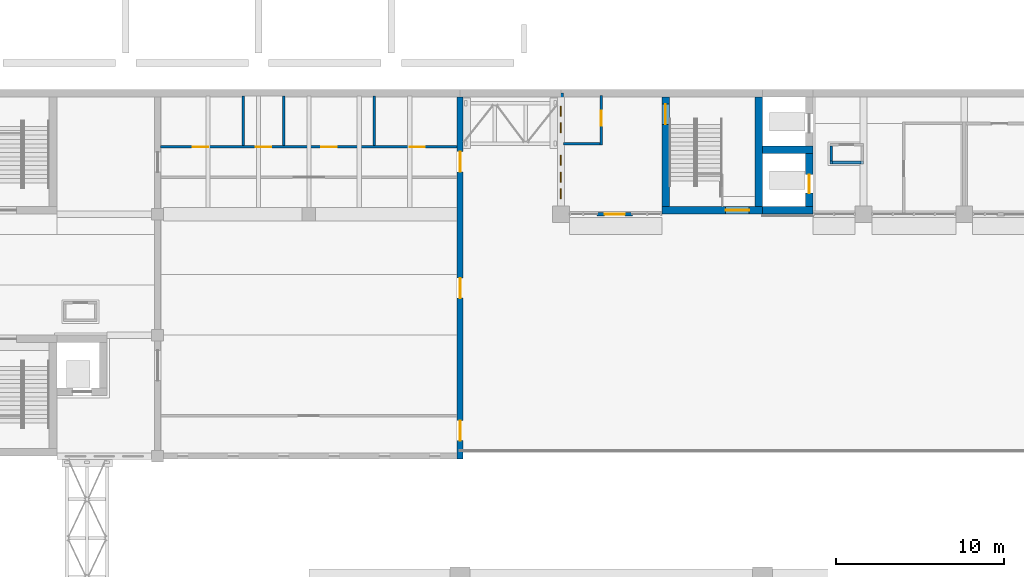
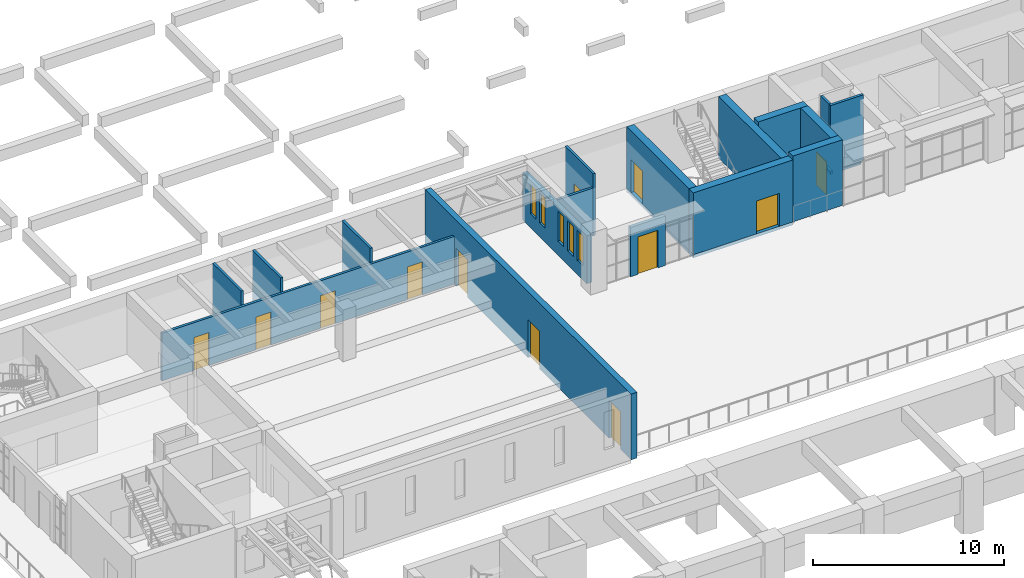
# One storey, part 66 of 103: 21 walls, 12 doors, 5 windows, 17 openings.
"""IFC4 building model written with IfcOpenShell, lengths in metres."""

import ifcopenshell
import ifcopenshell.guid

model = None  # the IFC model being written
_history = None  # IfcOwnerHistory: only IFC2X3 demands one
_inside = {}  # id of a spatial element -> (the spatial element, [elements in it])
_under = {}  # id of a project, library or spatial element -> (it, [spatial elements below it])
_declared = {}  # id of a project -> (the project, [libraries it declares])
_typed = {}  # id of a type object -> (the type object, [elements of that type])
_made_of = {}  # id of a material, layer set ... -> (it, [elements and type objects made of it])


def new_model(schema):
    """Start an empty IFC model of exactly this schema.

    Asked for "IFC4X3", IfcOpenShell would pick the latest addendum, in which some entities
    have other attributes; the version numbers below select the first issue.
    IFC2X3 requires an IfcOwnerHistory on every rooted entity: one is made here for all.
    """
    global model, _history
    if schema == "IFC4X3":
        model = ifcopenshell.file(schema_version=(4, 3, 0, 0))
    else:
        model = ifcopenshell.file(schema=schema)
    _inside.clear()
    _under.clear()
    _declared.clear()
    _typed.clear()
    _made_of.clear()
    _history = None
    if model.schema == "IFC2X3":
        org = make("IfcOrganization", Name="unknown")
        user = make(
            "IfcPersonAndOrganization",
            ThePerson=make("IfcPerson", FamilyName="unknown"),
            TheOrganization=org,
        )
        app = make(
            "IfcApplication",
            ApplicationDeveloper=org,
            Version="unknown",
            ApplicationFullName="unknown",
            ApplicationIdentifier="unknown",
        )
        _history = make(
            "IfcOwnerHistory",
            OwningUser=user,
            OwningApplication=app,
            ChangeAction="ADDED",
            CreationDate=0,
        )
    return model


def make(cls, **values):
    """One entity of the class cls with the attributes given. An attribute that is None is left unset."""
    return model.create_entity(
        cls, **{name: value for name, value in values.items() if value is not None}
    )


def rooted(cls, **values):
    """An entity with a GlobalId (a new one), such as an element, a storey or a relation."""
    return make(cls, GlobalId=ifcopenshell.guid.new(), OwnerHistory=_history, **values)


def si_unit(unit_type, name, prefix=None):
    """IfcSIUnit, for example si_unit("LENGTHUNIT", "METRE", prefix="MILLI")."""
    return make("IfcSIUnit", UnitType=unit_type, Prefix=prefix, Name=name)


def assignment(units):
    """IfcUnitAssignment: the units of a project."""
    return None if units is None else make("IfcUnitAssignment", Units=units)


def point(xyz):
    """IfcCartesianPoint."""
    return None if xyz is None else make("IfcCartesianPoint", Coordinates=xyz)


def direction(xyz):
    """IfcDirection."""
    return None if xyz is None else make("IfcDirection", DirectionRatios=xyz)


def frame(location, z_axis=None, x_axis=None):
    """IfcAxis2Placement3D, a coordinate frame: its origin and axes. An axis left out is left unset."""
    return make(
        "IfcAxis2Placement3D",
        Location=point(location),
        Axis=direction(z_axis),
        RefDirection=direction(x_axis),
    )


def frame_2d(location, x_axis=None):
    """IfcAxis2Placement2D, a coordinate frame in the plane: its origin and x axis."""
    return make(
        "IfcAxis2Placement2D", Location=point(location), RefDirection=direction(x_axis)
    )


def origin():
    """The frame at (0, 0, 0) with its axes left unset."""
    return frame((0.0, 0.0, 0.0))


def place(relative_to, where):
    """IfcLocalPlacement: puts the frame where relative to a parent placement (None: the world)."""
    return make(
        "IfcLocalPlacement", PlacementRelTo=relative_to, RelativePlacement=where
    )


def context(
    kind, dimensions, precision=None, world=None, true_north=None, identifier=None
):
    """IfcGeometricRepresentationContext, for example the 3D "Model" context."""
    return make(
        "IfcGeometricRepresentationContext",
        ContextIdentifier=identifier,
        ContextType=kind,
        CoordinateSpaceDimension=dimensions,
        Precision=precision,
        WorldCoordinateSystem=world,
        TrueNorth=true_north,
    )


def subcontext(parent, identifier, kind, view, scale=None):
    """IfcGeometricRepresentationSubContext, for example "Body" below "Model"."""
    return make(
        "IfcGeometricRepresentationSubContext",
        ContextIdentifier=identifier,
        ContextType=kind,
        ParentContext=parent,
        TargetScale=scale,
        TargetView=view,
    )


def project(units=None, contexts=None):
    """IfcProject with its units and contexts."""
    return rooted(
        "IfcProject",
        Name="project",
        RepresentationContexts=contexts,
        UnitsInContext=assignment(units),
    )


def spatial(cls, under=None, at=None, **own):
    """A site, building, storey or space (cls), placed at a placement, below another one or the project."""
    s = rooted(cls, ObjectPlacement=at, **own)
    if under is not None:
        _under.setdefault(under.id(), (under, []))[1].append(s)
    return s


def profile(cls, at=None, kind="AREA", **sizes):
    """A parametric profile (cls). Its sizes go by their IFC names, for example OverallWidth=200.0."""
    return make(cls, ProfileType=kind, Position=at, **sizes)


def rectangle(**sizes):
    """IfcRectangleProfileDef."""
    return profile("IfcRectangleProfileDef", **sizes)


def extrude(swept, where, along, depth):
    """IfcExtrudedAreaSolid: the profile swept, set in the frame where, extruded along a direction by depth."""
    return make(
        "IfcExtrudedAreaSolid",
        SweptArea=swept,
        Position=where,
        ExtrudedDirection=direction(along),
        Depth=depth,
    )


def shape(context_of_items, identifier, shape_type, items):
    """IfcShapeRepresentation: the items that make up one representation, for example the "Body"."""
    return make(
        "IfcShapeRepresentation",
        ContextOfItems=context_of_items,
        RepresentationIdentifier=identifier,
        RepresentationType=shape_type,
        Items=items,
    )


def material(Name=None, Category=None):
    """IfcMaterial."""
    return make("IfcMaterial", Name=Name, Category=Category)


def layer(
    of_material, thickness, ventilated=None, Name=None, Category=None, Priority=None
):
    """IfcMaterialLayer: one layer of a wall or slab, of a material (None: an air gap)."""
    return make(
        "IfcMaterialLayer",
        Material=of_material,
        LayerThickness=thickness,
        IsVentilated=ventilated,
        Name=Name,
        Category=Category,
        Priority=Priority,
    )


def layer_set(layers, Name=None):
    """IfcMaterialLayerSet."""
    return make("IfcMaterialLayerSet", MaterialLayers=layers, LayerSetName=Name)


def made_of(thing, what):
    """Note that an element or type object is made of a material, layer set ...; save() writes the relation."""
    if what is not None:
        _made_of.setdefault(what.id(), (what, []))[1].append(thing)
    return thing


def type_object(cls, material=None, **own):
    """A type object (cls), such as IfcWallType, which elements share."""
    return made_of(rooted(cls, **own), material)


def element(
    cls,
    number,
    at=None,
    inside=None,
    cuts=None,
    type_object=None,
    material=None,
    context=None,
    identifier="Body",
    shape_type=None,
    held_by="IfcProductDefinitionShape",
    body=None,
    shapes=None,
    **own,
):
    """One element of the class cls, such as IfcWall. Its Tag is "e" and its number.

    at: its placement. inside: the storey or other place that contains it. cuts: it is an
    opening in that element (IfcRelVoidsElement). A single representation is given by context,
    identifier, shape_type and body (its items); several are given by shapes. held_by: the class
    of the entity that holds the representations. save() writes the other relations.
    """
    e = rooted(cls, Tag="e%d" % number, ObjectPlacement=at, **own)
    if body is not None:
        shapes = [shape(context, identifier, shape_type, body)]
    if shapes is not None:
        e.Representation = make(held_by, Representations=shapes)
    if inside is not None:
        _inside.setdefault(inside.id(), (inside, []))[1].append(e)
    if cuts is not None:
        rooted(
            "IfcRelVoidsElement", RelatingBuildingElement=cuts, RelatedOpeningElement=e
        )
    if type_object is not None:
        _typed.setdefault(type_object.id(), (type_object, []))[1].append(e)
    return made_of(e, material)


def fill(opening, filler):
    """IfcRelFillsElement: the door or window that sits in an opening."""
    return rooted(
        "IfcRelFillsElement",
        RelatingOpeningElement=opening,
        RelatedBuildingElement=filler,
    )


def aggregate(whole, parts):
    """IfcRelAggregates: a whole, such as a stair, and the parts it consists of."""
    return rooted("IfcRelAggregates", RelatingObject=whole, RelatedObjects=parts)


def save(model, path):
    """Write the relations noted so far, then the file.

    IfcRelAggregates (storeys below a building ...), IfcRelContainedInSpatialStructure (elements
    in a storey), IfcRelDefinesByType, IfcRelAssociatesMaterial and IfcRelDeclares: one each for
    every whole, place, type object, material and project.
    """
    for whole, parts in _under.values():
        aggregate(whole, parts)
    for where, things in _inside.values():
        rooted(
            "IfcRelContainedInSpatialStructure",
            RelatedElements=things,
            RelatingStructure=where,
        )
    for kind, things in _typed.values():
        rooted("IfcRelDefinesByType", RelatedObjects=things, RelatingType=kind)
    for what, things in _made_of.values():
        rooted("IfcRelAssociatesMaterial", RelatedObjects=things, RelatingMaterial=what)
    for by, libraries in _declared.values():
        rooted("IfcRelDeclares", RelatingContext=by, RelatedDefinitions=libraries)
    model.write(path)


model = new_model("IFC4")

# Units and contexts
model_context = context("Model", 3, precision=1e-05, world=origin(), true_north=direction((0.0, 1.0)))
body_context = subcontext(model_context, "Body", "Model", "MODEL_VIEW")
ifc_project = project(units=[si_unit("LENGTHUNIT", "METRE"), si_unit("AREAUNIT", "SQUARE_METRE"), si_unit("VOLUMEUNIT", "CUBIC_METRE"), si_unit("PLANEANGLEUNIT", "RADIAN"), si_unit("MASSUNIT", "GRAM", prefix="KILO")], contexts=[model_context])

# Site, building, storey
site_placement = place(None, origin())
site = spatial("IfcSite", under=ifc_project, at=site_placement, CompositionType="ELEMENT")
building_placement = place(site_placement, origin())
building = spatial("IfcBuilding", under=site, at=building_placement, Name="Laocheng Heights Fire and Rescue Headquarters", CompositionType="ELEMENT")
storey_placement = place(building_placement, frame((0.0, 0.0, 4.199951171875)))
storey = spatial("IfcBuildingStorey", under=building, at=storey_placement, Name="L01", CompositionType="ELEMENT", Elevation=4.199951171875)

# Wall, opening, door
ifc_material_1 = material(Name="Gypsum plaster")
ifc_layer_1 = layer(ifc_material_1, 0.010009765625, Name="PLASTER", Category="plaster")
ifc_material_2 = material(Name="Concrete blockwork MU10", Category="masonry")
ifc_layer_2 = layer(ifc_material_2, 0.1298828125, Name="BLOCKWORK", Category="masonry")
ifc_layer_3 = layer(ifc_material_1, 0.010009765625, Name="PLASTER", Category="plaster")
ifc_layer_set_1 = layer_set([ifc_layer_1, ifc_layer_2, ifc_layer_3], Name="Concrete blockwork MU10")
wall_type_1 = type_object("IfcWallType", Name="BLOCKWORK CORRIDOR WALL 150 EI 60 HQ WING", PredefinedType="PARTITIONING", material=ifc_layer_set_1)
wall_1_placement = place(storey_placement, frame((38.39990234375, 54.52490234375, 0.0), z_axis=(0.0, 0.0, 1.0), x_axis=(0.0, 1.0, 0.0)))
wall_1 = element("IfcWall", 1, at=wall_1_placement, inside=storey, type_object=wall_type_1, Name="Partition L01-001", PredefinedType="PARTITIONING", context=body_context, shape_type="SweptSolid", body=[
    extrude(rectangle(XDim=2.925048828125, YDim=0.14990234375, at=frame_2d((1.46240234375, 0.0))), origin(), (0.0, 0.0, 1.0), 3.949951171875),
])
opening_1_placement = place(wall_1_placement, frame((1.125, 0.0, 0.0)))
opening_1 = element("IfcOpeningElement", 2, at=opening_1_placement, cuts=wall_1, Name="Opening L01-Y01", PredefinedType="OPENING", context=body_context, shape_type="SweptSolid", body=[
    extrude(rectangle(XDim=0.89990234375, YDim=2.10009765625, at=frame_2d((0.449951171875, 1.050048828125))), frame((0.0, 0.0849609375, 0.0), z_axis=(0.0, -1.0, 0.0), x_axis=(1.0, 0.0, 0.0)), (0.0, 0.0, 1.0), 0.169921875),
])
ifc_material_3 = material(Name="Timber door leaf, veneered", Category="wood")
door_type_1 = type_object("IfcDoorType", Name="TIMBER DOOR 900x2100 EI 30 HQ WING", OperationType="SINGLE_SWING_LEFT", PredefinedType="DOOR", material=ifc_material_3)
door_1_placement = place(opening_1_placement, origin())
door_1 = element("IfcDoor", 3, at=door_1_placement, inside=storey, type_object=door_type_1, Name="Door L01-Y01", OperationType="SINGLE_SWING_RIGHT", OverallHeight=2.10009765625, OverallWidth=0.89990234375, PredefinedType="DOOR", context=body_context, shape_type="SweptSolid", body=[
    extrude(rectangle(XDim=0.89990234375, YDim=2.10009765625, at=frame_2d((0.449951171875, 1.050048828125))), frame((0.0, 0.02490234375, 0.0), z_axis=(0.0, -1.0, 0.0), x_axis=(1.0, 0.0, 0.0)), (0.0, 0.0, 1.0), 0.050048828125),
])
fill(opening_1, door_1)

# Walls
wall_2_placement = place(storey_placement, frame((36.14990234375, 54.60009765625, 0.0), z_axis=(0.0, 0.0, 1.0), x_axis=(1.0, 0.0, 0.0)))
element("IfcWall", 4, at=wall_2_placement, inside=storey, type_object=wall_type_1, Name="Partition L01-007", PredefinedType="PARTITIONING", context=body_context, shape_type="SweptSolid", body=[
    extrude(rectangle(XDim=2.175048828125, YDim=0.14990234375, at=frame_2d((1.08740234375, 0.0))), origin(), (0.0, 0.0, 1.0), 3.050048828125),
])
ifc_material_4 = material(Name="Gypsum plaster")
ifc_layer_4 = layer(ifc_material_4, 0.010009765625, Name="PLASTER", Category="plaster")
ifc_material_5 = material(Name="Concrete blockwork MU10", Category="masonry")
ifc_layer_5 = layer(ifc_material_5, 0.1298828125, Name="BLOCKWORK", Category="masonry")
ifc_layer_6 = layer(ifc_material_4, 0.010009765625, Name="PLASTER", Category="plaster")
ifc_layer_set_2 = layer_set([ifc_layer_4, ifc_layer_5, ifc_layer_6], Name="Concrete blockwork MU10")
wall_type_2 = type_object("IfcWallType", Name="BLOCKWORK CORRIDOR WALL 150 EI 60 PAVILION", PredefinedType="PARTITIONING", material=ifc_layer_set_2)
for number, where, z_axis, x_axis, name in (
    (5, (17.10009765625, 54.47509765625, 0.0), (0.0, 0.0, 1.0), (0.0, 1.0, 0.0), "Partition L01-001"),
    (6, (19.5, 54.47509765625, 0.0), (0.0, 0.0, 1.0), (0.0, 1.0, 0.0), "Partition L01-002"),
    (7, (24.89990234375, 54.47509765625, 0.0), (0.0, 0.0, 1.0), (0.0, 1.0, 0.0), "Partition L01-003"),
):
    element("IfcWall", number, at=place(storey_placement, frame(where, z_axis=z_axis, x_axis=x_axis)), inside=storey, type_object=wall_type_2, Name=name, PredefinedType="PARTITIONING", context=body_context, shape_type="SweptSolid", body=[
        extrude(rectangle(XDim=2.949951171875, YDim=0.14990234375, at=frame_2d((1.47509765625, 0.0))), origin(), (0.0, 0.0, 1.0), 3.949951171875),
    ])

# Wall, openings, doors
wall_3_placement = place(storey_placement, frame((12.175048828125, 54.39990234375, 0.0), z_axis=(0.0, 0.0, 1.0), x_axis=(1.0, 0.0, 0.0)))
wall_3 = element("IfcWall", 8, at=wall_3_placement, inside=storey, type_object=wall_type_2, Name="Partition L01-006", PredefinedType="PARTITIONING", context=body_context, shape_type="SweptSolid", body=[
    extrude(rectangle(XDim=17.64990234375, YDim=0.14990234375, at=frame_2d((8.824951171875, 0.0))), origin(), (0.0, 0.0, 1.0), 3.050048828125),
])
opening_2_placement = place(wall_3_placement, frame((1.925048828125, 0.0, 0.0)))
opening_2 = element("IfcOpeningElement", 9, at=opening_2_placement, cuts=wall_3, Name="Opening L01-P05", PredefinedType="OPENING", context=body_context, shape_type="SweptSolid", body=[
    extrude(rectangle(XDim=0.89990234375, YDim=2.10009765625, at=frame_2d((0.449951171875, 1.050048828125))), frame((0.0, 0.0849609375, 0.0), z_axis=(0.0, -1.0, 0.0), x_axis=(1.0, 0.0, 0.0)), (0.0, 0.0, 1.0), 0.169921875),
])
opening_3_placement = place(wall_3_placement, frame((5.675048828125, 0.0, 0.0)))
opening_3 = element("IfcOpeningElement", 10, at=opening_3_placement, cuts=wall_3, Name="Opening L01-P06", PredefinedType="OPENING", context=body_context, shape_type="SweptSolid", body=[
    extrude(rectangle(XDim=0.89990234375, YDim=2.10009765625, at=frame_2d((0.449951171875, 1.050048828125))), frame((0.0, 0.0849609375, 0.0), z_axis=(0.0, -1.0, 0.0), x_axis=(1.0, 0.0, 0.0)), (0.0, 0.0, 1.0), 0.169921875),
])
opening_4_placement = place(wall_3_placement, frame((9.574951171875, 0.0, 0.0)))
opening_4 = element("IfcOpeningElement", 11, at=opening_4_placement, cuts=wall_3, Name="Opening L01-P07", PredefinedType="OPENING", context=body_context, shape_type="SweptSolid", body=[
    extrude(rectangle(XDim=0.89990234375, YDim=2.10009765625, at=frame_2d((0.449951171875, 1.050048828125))), frame((0.0, 0.0849609375, 0.0), z_axis=(0.0, -1.0, 0.0), x_axis=(1.0, 0.0, 0.0)), (0.0, 0.0, 1.0), 0.169921875),
])
opening_5_placement = place(wall_3_placement, frame((14.824951171875, 0.0, 0.0)))
opening_5 = element("IfcOpeningElement", 12, at=opening_5_placement, cuts=wall_3, Name="Opening L01-P08", PredefinedType="OPENING", context=body_context, shape_type="SweptSolid", body=[
    extrude(rectangle(XDim=0.89990234375, YDim=2.10009765625, at=frame_2d((0.449951171875, 1.050048828125))), frame((0.0, 0.0849609375, 0.0), z_axis=(0.0, -1.0, 0.0), x_axis=(1.0, 0.0, 0.0)), (0.0, 0.0, 1.0), 0.169921875),
])
ifc_material_6 = material(Name="Timber door leaf, veneered", Category="wood")
door_type_2 = type_object("IfcDoorType", Name="TIMBER DOOR 900x2100 EI 30 PAVILION", OperationType="SINGLE_SWING_LEFT", PredefinedType="DOOR", material=ifc_material_6)
door_2_placement = place(opening_2_placement, origin())
door_2 = element("IfcDoor", 13, at=door_2_placement, inside=storey, type_object=door_type_2, Name="Door L01-P05", OperationType="SINGLE_SWING_LEFT", OverallHeight=2.10009765625, OverallWidth=0.89990234375, PredefinedType="DOOR", context=body_context, shape_type="SweptSolid", body=[
    extrude(rectangle(XDim=0.89990234375, YDim=2.10009765625, at=frame_2d((0.449951171875, 1.050048828125))), frame((0.0, 0.02490234375, 0.0), z_axis=(0.0, -1.0, 0.0), x_axis=(1.0, 0.0, 0.0)), (0.0, 0.0, 1.0), 0.050048828125),
])
fill(opening_2, door_2)
door_3_placement = place(opening_3_placement, origin())
door_3 = element("IfcDoor", 14, at=door_3_placement, inside=storey, type_object=door_type_2, Name="Door L01-P06", OperationType="SINGLE_SWING_LEFT", OverallHeight=2.10009765625, OverallWidth=0.89990234375, PredefinedType="DOOR", context=body_context, shape_type="SweptSolid", body=[
    extrude(rectangle(XDim=0.89990234375, YDim=2.10009765625, at=frame_2d((0.449951171875, 1.050048828125))), frame((0.0, 0.02490234375, 0.0), z_axis=(0.0, -1.0, 0.0), x_axis=(1.0, 0.0, 0.0)), (0.0, 0.0, 1.0), 0.050048828125),
])
fill(opening_3, door_3)
door_4_placement = place(opening_4_placement, origin())
door_4 = element("IfcDoor", 15, at=door_4_placement, inside=storey, type_object=door_type_2, Name="Door L01-P07", OperationType="SINGLE_SWING_LEFT", OverallHeight=2.10009765625, OverallWidth=0.89990234375, PredefinedType="DOOR", context=body_context, shape_type="SweptSolid", body=[
    extrude(rectangle(XDim=0.89990234375, YDim=2.10009765625, at=frame_2d((0.449951171875, 1.050048828125))), frame((0.0, 0.02490234375, 0.0), z_axis=(0.0, -1.0, 0.0), x_axis=(1.0, 0.0, 0.0)), (0.0, 0.0, 1.0), 0.050048828125),
])
fill(opening_4, door_4)
door_5_placement = place(opening_5_placement, origin())
door_5 = element("IfcDoor", 16, at=door_5_placement, inside=storey, type_object=door_type_2, Name="Door L01-P08", OperationType="SINGLE_SWING_RIGHT", OverallHeight=2.10009765625, OverallWidth=0.89990234375, PredefinedType="DOOR", context=body_context, shape_type="SweptSolid", body=[
    extrude(rectangle(XDim=0.89990234375, YDim=2.10009765625, at=frame_2d((0.449951171875, 1.050048828125))), frame((0.0, 0.02490234375, 0.0), z_axis=(0.0, -1.0, 0.0), x_axis=(1.0, 0.0, 0.0)), (0.0, 0.0, 1.0), 0.050048828125),
])
fill(opening_5, door_5)

# Wall, opening, door
ifc_material_7 = material(Name="Precast concrete C40/50", Category="concrete")
ifc_layer_7 = layer(ifc_material_7, 0.199951171875)
ifc_layer_set_3 = layer_set([ifc_layer_7], Name="Precast concrete C40/50")
wall_type_3 = type_object("IfcWallType", Name="PRECAST ENTRANCE FRAME WALL 200", PredefinedType="SOLIDWALL", material=ifc_layer_set_3)
wall_4_placement = place(storey_placement, frame((38.14990234375, 50.39990234375, 0.0), z_axis=(0.0, 0.0, 1.0), x_axis=(1.0, 0.0, 0.0)))
wall_4 = element("IfcWall", 17, at=wall_4_placement, inside=storey, type_object=wall_type_3, Name="PRECAST ENTRANCE FRAME WALL HQ SOUTH L01", PredefinedType="SOLIDWALL", context=body_context, shape_type="SweptSolid", body=[
    extrude(rectangle(XDim=2.10009765625, YDim=0.199951171875, at=frame_2d((1.050048828125, 0.0))), origin(), (0.0, 0.0, 1.0), 3.150146484375),
])
opening_6_placement = place(wall_4_placement, frame((0.449951171875, 0.0, 0.0)))
opening_6 = element("IfcOpeningElement", 18, at=opening_6_placement, cuts=wall_4, Name="Opening L01-X01", PredefinedType="OPENING", context=body_context, shape_type="SweptSolid", body=[
    extrude(rectangle(XDim=1.199951171875, YDim=2.39990234375, at=frame_2d((0.60009765625, 1.199951171875))), frame((0.0, 0.10986328125, 0.0), z_axis=(0.0, -1.0, 0.0), x_axis=(1.0, 0.0, 0.0)), (0.0, 0.0, 1.0), 0.219970703125),
])
ifc_material_8 = material(Name="Dark anodised aluminium framed glazed door, low-e glazing", Category="aluminium")
door_type_3 = type_object("IfcDoorType", Name="WEST FOYER COURT DOOR 1200 x 2400", OperationType="SINGLE_SWING_LEFT", PredefinedType="DOOR", material=ifc_material_8)
door_6_placement = place(opening_6_placement, frame((1.199951171875, 0.0, 0.0), z_axis=(0.0, 0.0, 1.0), x_axis=(-1.0, 0.0, 0.0)))
door_6 = element("IfcDoor", 19, at=door_6_placement, inside=storey, type_object=door_type_3, Name="WEST FOYER COURT DOOR HQ SOUTH L01", OperationType="SINGLE_SWING_RIGHT", OverallHeight=2.39990234375, OverallWidth=1.199951171875, PredefinedType="DOOR", context=body_context, shape_type="SweptSolid", body=[
    extrude(rectangle(XDim=1.199951171875, YDim=2.39990234375, at=frame_2d((0.60009765625, 1.199951171875))), frame((0.0, 0.02490234375, 0.0), z_axis=(0.0, -1.0, 0.0), x_axis=(1.0, 0.0, 0.0)), (0.0, 0.0, 1.0), 0.050048828125),
])
fill(opening_6, door_6)

# Wall, openings, windows
ifc_material_9 = material(Name="Precast concrete C40/50", Category="concrete")
ifc_layer_8 = layer(ifc_material_9, 0.300048828125)
ifc_layer_set_4 = layer_set([ifc_layer_8], Name="Precast concrete C40/50")
wall_type_4 = type_object("IfcWallType", Name="PRECAST WALL PANEL 300", PredefinedType="SOLIDWALL", material=ifc_layer_set_4)
wall_5_placement = place(storey_placement, frame((36.0, 50.89990234375, 0.0), z_axis=(0.0, 0.0, 1.0), x_axis=(0.0, 1.0, 0.0)))
wall_5 = element("IfcWall", 20, at=wall_5_placement, inside=storey, type_object=wall_type_4, Name="PRECAST WALL PANEL HQ WEST STRIP L01", PredefinedType="SOLIDWALL", context=body_context, shape_type="SweptSolid", body=[
    extrude(rectangle(XDim=6.7001953125, YDim=0.300048828125, at=frame_2d((3.35009765625, 0.0))), origin(), (0.0, 0.0, 1.0), 3.050048828125),
])
opening_7_placement = place(wall_5_placement, frame((0.405029296875, 0.0, 0.89990234375)))
opening_7 = element("IfcOpeningElement", 21, at=opening_7_placement, cuts=wall_5, Name="Opening N1-X", PredefinedType="OPENING", context=body_context, shape_type="SweptSolid", body=[
    extrude(rectangle(XDim=0.60009765625, YDim=1.89990234375, at=frame_2d((0.300048828125, 0.949951171875))), frame((0.0, 0.159912109375, 0.0), z_axis=(0.0, -1.0, 0.0), x_axis=(1.0, 0.0, 0.0)), (0.0, 0.0, 1.0), 0.320068359375),
])
opening_8_placement = place(wall_5_placement, frame((1.409912109375, 0.0, 0.89990234375)))
opening_8 = element("IfcOpeningElement", 22, at=opening_8_placement, cuts=wall_5, Name="Opening N1-X", PredefinedType="OPENING", context=body_context, shape_type="SweptSolid", body=[
    extrude(rectangle(XDim=0.60009765625, YDim=1.89990234375, at=frame_2d((0.300048828125, 0.949951171875))), frame((0.0, 0.159912109375, 0.0), z_axis=(0.0, -1.0, 0.0), x_axis=(1.0, 0.0, 0.0)), (0.0, 0.0, 1.0), 0.320068359375),
])
opening_9_placement = place(wall_5_placement, frame((2.4150390625, 0.0, 0.89990234375)))
opening_9 = element("IfcOpeningElement", 23, at=opening_9_placement, cuts=wall_5, Name="Opening N1-X", PredefinedType="OPENING", context=body_context, shape_type="SweptSolid", body=[
    extrude(rectangle(XDim=0.60009765625, YDim=1.89990234375, at=frame_2d((0.300048828125, 0.949951171875))), frame((0.0, 0.159912109375, 0.0), z_axis=(0.0, -1.0, 0.0), x_axis=(1.0, 0.0, 0.0)), (0.0, 0.0, 1.0), 0.320068359375),
])
opening_10_placement = place(wall_5_placement, frame((4.3466796875, 0.0, 0.89990234375)))
opening_10 = element("IfcOpeningElement", 24, at=opening_10_placement, cuts=wall_5, Name="Opening N1-X", PredefinedType="OPENING", context=body_context, shape_type="SweptSolid", body=[
    extrude(rectangle(XDim=0.60009765625, YDim=1.89990234375, at=frame_2d((0.300048828125, 0.949951171875))), frame((0.0, 0.159912109375, 0.0), z_axis=(0.0, -1.0, 0.0), x_axis=(1.0, 0.0, 0.0)), (0.0, 0.0, 1.0), 0.320068359375),
])
opening_11_placement = place(wall_5_placement, frame((5.313232421875, 0.0, 0.89990234375)))
opening_11 = element("IfcOpeningElement", 25, at=opening_11_placement, cuts=wall_5, Name="Opening N1-X", PredefinedType="OPENING", context=body_context, shape_type="SweptSolid", body=[
    extrude(rectangle(XDim=0.60009765625, YDim=1.89990234375, at=frame_2d((0.300048828125, 0.949951171875))), frame((0.0, 0.159912109375, 0.0), z_axis=(0.0, -1.0, 0.0), x_axis=(1.0, 0.0, 0.0)), (0.0, 0.0, 1.0), 0.320068359375),
])
ifc_material_10 = material(Name="Low-e double glazing in aluminium frame", Category="aluminium")
window_type = type_object("IfcWindowType", Name="WINDOW 600 x 1900 HQ END SLOT", PartitioningType="SINGLE_PANEL", PredefinedType="WINDOW", material=ifc_material_10)
window_1_placement = place(opening_7_placement, origin())
window_1 = element("IfcWindow", 26, at=window_1_placement, inside=storey, type_object=window_type, Name="HQ END SLOT HQ WEST STRIP L01", OverallHeight=1.89990234375, OverallWidth=0.60009765625, PartitioningType="SINGLE_PANEL", PredefinedType="WINDOW", context=body_context, shape_type="SweptSolid", body=[
    extrude(rectangle(XDim=0.60009765625, YDim=1.89990234375, at=frame_2d((0.300048828125, 0.949951171875))), frame((0.0, 0.030029296875, 0.0), z_axis=(0.0, -1.0, 0.0), x_axis=(1.0, 0.0, 0.0)), (0.0, 0.0, 1.0), 0.06005859375),
])
fill(opening_7, window_1)
window_2_placement = place(opening_8_placement, origin())
window_2 = element("IfcWindow", 27, at=window_2_placement, inside=storey, type_object=window_type, Name="HQ END SLOT HQ WEST STRIP L01", OverallHeight=1.89990234375, OverallWidth=0.60009765625, PartitioningType="SINGLE_PANEL", PredefinedType="WINDOW", context=body_context, shape_type="SweptSolid", body=[
    extrude(rectangle(XDim=0.60009765625, YDim=1.89990234375, at=frame_2d((0.300048828125, 0.949951171875))), frame((0.0, 0.030029296875, 0.0), z_axis=(0.0, -1.0, 0.0), x_axis=(1.0, 0.0, 0.0)), (0.0, 0.0, 1.0), 0.06005859375),
])
fill(opening_8, window_2)
window_3_placement = place(opening_9_placement, origin())
window_3 = element("IfcWindow", 28, at=window_3_placement, inside=storey, type_object=window_type, Name="HQ END SLOT HQ WEST STRIP L01", OverallHeight=1.89990234375, OverallWidth=0.60009765625, PartitioningType="SINGLE_PANEL", PredefinedType="WINDOW", context=body_context, shape_type="SweptSolid", body=[
    extrude(rectangle(XDim=0.60009765625, YDim=1.89990234375, at=frame_2d((0.300048828125, 0.949951171875))), frame((0.0, 0.030029296875, 0.0), z_axis=(0.0, -1.0, 0.0), x_axis=(1.0, 0.0, 0.0)), (0.0, 0.0, 1.0), 0.06005859375),
])
fill(opening_9, window_3)
window_4_placement = place(opening_10_placement, origin())
window_4 = element("IfcWindow", 29, at=window_4_placement, inside=storey, type_object=window_type, Name="HQ END SLOT HQ WEST STRIP L01", OverallHeight=1.89990234375, OverallWidth=0.60009765625, PartitioningType="SINGLE_PANEL", PredefinedType="WINDOW", context=body_context, shape_type="SweptSolid", body=[
    extrude(rectangle(XDim=0.60009765625, YDim=1.89990234375, at=frame_2d((0.300048828125, 0.949951171875))), frame((0.0, 0.030029296875, 0.0), z_axis=(0.0, -1.0, 0.0), x_axis=(1.0, 0.0, 0.0)), (0.0, 0.0, 1.0), 0.06005859375),
])
fill(opening_10, window_4)
window_5_placement = place(opening_11_placement, origin())
window_5 = element("IfcWindow", 30, at=window_5_placement, inside=storey, type_object=window_type, Name="HQ END SLOT HQ WEST STRIP L01", OverallHeight=1.89990234375, OverallWidth=0.60009765625, PartitioningType="SINGLE_PANEL", PredefinedType="WINDOW", context=body_context, shape_type="SweptSolid", body=[
    extrude(rectangle(XDim=0.60009765625, YDim=1.89990234375, at=frame_2d((0.300048828125, 0.949951171875))), frame((0.0, 0.030029296875, 0.0), z_axis=(0.0, -1.0, 0.0), x_axis=(1.0, 0.0, 0.0)), (0.0, 0.0, 1.0), 0.06005859375),
])
fill(opening_11, window_5)

# Walls
ifc_material_11 = material(Name="Concrete C50", Category="concrete")
ifc_layer_9 = layer(ifc_material_11, 0.449951171875)
ifc_layer_set_5 = layer_set([ifc_layer_9], Name="Concrete C50")
wall_type_5 = type_object("IfcWallType", Name="RC LIFT SHAFT WALL 450", PredefinedType="SHEAR", material=ifc_layer_set_5)
for number, where, z_axis, x_axis, name in (
    (31, (48.0, 54.22509765625, 0.0), (0.0, 0.0, 1.0), (1.0, 0.0, 0.0), "Lift shaft wall"),
    (32, (48.0, 50.625, 0.0), (0.0, 0.0, 1.0), (1.0, 0.0, 0.0), "Lift shaft wall"),
):
    element("IfcWall", number, at=place(storey_placement, frame(where, z_axis=z_axis, x_axis=x_axis)), inside=storey, type_object=wall_type_5, Name=name, PredefinedType="SHEAR", context=body_context, shape_type="SweptSolid", body=[
        extrude(rectangle(XDim=3.0, YDim=0.449951171875, at=frame_2d((1.5, 0.0))), origin(), (0.0, 0.0, 1.0), 4.199951171875),
    ])

# Wall, opening, door
wall_6_placement = place(storey_placement, frame((50.77490234375, 50.85009765625, 0.0), z_axis=(0.0, 0.0, 1.0), x_axis=(0.0, 1.0, 0.0)))
wall_6 = element("IfcWall", 33, at=wall_6_placement, inside=storey, type_object=wall_type_5, Name="Lift shaft wall", PredefinedType="SHEAR", context=body_context, shape_type="SweptSolid", body=[
    extrude(rectangle(XDim=3.14990234375, YDim=0.449951171875, at=frame_2d((1.574951171875, 0.0))), origin(), (0.0, 0.0, 1.0), 4.199951171875),
])
opening_12_placement = place(wall_6_placement, frame((0.800048828125, 0.0, 0.0)))
opening_12 = element("IfcOpeningElement", 34, at=opening_12_placement, cuts=wall_6, Name="Opening L01-K25", PredefinedType="OPENING", context=body_context, shape_type="SweptSolid", body=[
    extrude(rectangle(XDim=1.10009765625, YDim=2.10009765625, at=frame_2d((0.550048828125, 1.050048828125))), frame((0.0, 0.23486328125, 0.0), z_axis=(0.0, -1.0, 0.0), x_axis=(1.0, 0.0, 0.0)), (0.0, 0.0, 1.0), 0.469970703125),
])
ifc_material_12 = material(Name="Stainless steel", Category="steel")
door_type_4 = type_object("IfcDoorType", Name="LANDING DOOR H-L3 SLIDING 1100x2100 E 120", OperationType="DOUBLE_DOOR_SLIDING", PredefinedType="DOOR", material=ifc_material_12)
door_7_placement = place(opening_12_placement, origin())
door_7 = element("IfcDoor", 35, at=door_7_placement, inside=storey, type_object=door_type_4, Name="Landing door H-L3", OperationType="DOUBLE_DOOR_SLIDING", OverallHeight=2.10009765625, OverallWidth=1.10009765625, PredefinedType="DOOR", context=body_context, shape_type="SweptSolid", body=[
    extrude(rectangle(XDim=1.10009765625, YDim=2.10009765625, at=frame_2d((0.550048828125, 1.050048828125))), frame((0.0, 0.02490234375, 0.0), z_axis=(0.0, -1.0, 0.0), x_axis=(1.0, 0.0, 0.0)), (0.0, 0.0, 1.0), 0.050048828125),
])
fill(opening_12, door_7)

# Wall, openings, doors
ifc_material_13 = material(Name="Concrete C40", Category="concrete")
ifc_layer_10 = layer(ifc_material_13, 0.35009765625)
ifc_layer_set_6 = layer_set([ifc_layer_10], Name="Concrete C40")
wall_type_6 = type_object("IfcWallType", Name="RC SHEAR WALL 350 THEATRE", PredefinedType="SHEAR", material=ifc_layer_set_6)
wall_7_placement = place(storey_placement, frame((30.0, 35.824951171875, 0.0), z_axis=(0.0, 0.0, 1.0), x_axis=(0.0, 1.0, 0.0)))
wall_7 = element("IfcWall", 36, at=wall_7_placement, inside=storey, type_object=wall_type_6, Name="Theatre east wall L01", PredefinedType="SHEAR", context=body_context, shape_type="SweptSolid", body=[
    extrude(rectangle(XDim=21.550048828125, YDim=0.35009765625, at=frame_2d((10.77490234375, 0.0))), origin(), (0.0, 0.0, 1.0), 4.199951171875),
])
opening_13_placement = place(wall_7_placement, frame((1.094970703125, 0.0, 0.0)))
opening_13 = element("IfcOpeningElement", 37, at=opening_13_placement, cuts=wall_7, Name="Opening L01-V03", PredefinedType="OPENING", context=body_context, shape_type="SweptSolid", body=[
    extrude(rectangle(XDim=1.199951171875, YDim=2.39990234375, at=frame_2d((0.60009765625, 1.199951171875))), frame((0.0, 0.18505859375, 0.0), z_axis=(0.0, -1.0, 0.0), x_axis=(1.0, 0.0, 0.0)), (0.0, 0.0, 1.0), 0.3701171875),
])
opening_14_placement = place(wall_7_placement, frame((9.574951171875, 0.0, 0.0)))
opening_14 = element("IfcOpeningElement", 38, at=opening_14_placement, cuts=wall_7, Name="Opening L01-V04", PredefinedType="OPENING", context=body_context, shape_type="SweptSolid", body=[
    extrude(rectangle(XDim=1.199951171875, YDim=2.39990234375, at=frame_2d((0.60009765625, 1.199951171875))), frame((0.0, 0.18505859375, 0.0), z_axis=(0.0, -1.0, 0.0), x_axis=(1.0, 0.0, 0.0)), (0.0, 0.0, 1.0), 0.3701171875),
])
opening_15_placement = place(wall_7_placement, frame((17.094970703125, 0.0, 0.0)))
opening_15 = element("IfcOpeningElement", 39, at=opening_15_placement, cuts=wall_7, Name="Opening L01-V05", PredefinedType="OPENING", context=body_context, shape_type="SweptSolid", body=[
    extrude(rectangle(XDim=1.199951171875, YDim=2.39990234375, at=frame_2d((0.60009765625, 1.199951171875))), frame((0.0, 0.18505859375, 0.0), z_axis=(0.0, -1.0, 0.0), x_axis=(1.0, 0.0, 0.0)), (0.0, 0.0, 1.0), 0.3701171875),
])
ifc_material_14 = material(Name="Dark anodised aluminium framed glazed door, low-e glazing", Category="aluminium")
door_type_5 = type_object("IfcDoorType", Name="THEATRE EXIT DOOR 1200 x 2400", OperationType="SINGLE_SWING_LEFT", PredefinedType="DOOR", material=ifc_material_14)
door_8_placement = place(opening_13_placement, frame((1.199951171875, 0.0, 0.0), z_axis=(0.0, 0.0, 1.0), x_axis=(-1.0, 0.0, 0.0)))
door_8 = element("IfcDoor", 40, at=door_8_placement, inside=storey, type_object=door_type_5, Name="THEATRE EXIT DOOR THEATRE EAST L01", OperationType="SINGLE_SWING_RIGHT", OverallHeight=2.39990234375, OverallWidth=1.199951171875, PredefinedType="DOOR", context=body_context, shape_type="SweptSolid", body=[
    extrude(rectangle(XDim=1.199951171875, YDim=2.39990234375, at=frame_2d((0.60009765625, 1.199951171875))), frame((0.0, 0.02490234375, 0.0), z_axis=(0.0, -1.0, 0.0), x_axis=(1.0, 0.0, 0.0)), (0.0, 0.0, 1.0), 0.050048828125),
])
fill(opening_13, door_8)
door_9_placement = place(opening_14_placement, frame((1.199951171875, 0.0, 0.0), z_axis=(0.0, 0.0, 1.0), x_axis=(-1.0, 0.0, 0.0)))
door_9 = element("IfcDoor", 41, at=door_9_placement, inside=storey, type_object=door_type_5, Name="THEATRE EXIT DOOR THEATRE EAST L01", OperationType="SINGLE_SWING_RIGHT", OverallHeight=2.39990234375, OverallWidth=1.199951171875, PredefinedType="DOOR", context=body_context, shape_type="SweptSolid", body=[
    extrude(rectangle(XDim=1.199951171875, YDim=2.39990234375, at=frame_2d((0.60009765625, 1.199951171875))), frame((0.0, 0.02490234375, 0.0), z_axis=(0.0, -1.0, 0.0), x_axis=(1.0, 0.0, 0.0)), (0.0, 0.0, 1.0), 0.050048828125),
])
fill(opening_14, door_9)
door_10_placement = place(opening_15_placement, frame((1.199951171875, 0.0, 0.0), z_axis=(0.0, 0.0, 1.0), x_axis=(-1.0, 0.0, 0.0)))
door_10 = element("IfcDoor", 42, at=door_10_placement, inside=storey, type_object=door_type_5, Name="THEATRE EXIT DOOR THEATRE EAST L01", OperationType="SINGLE_SWING_RIGHT", OverallHeight=2.39990234375, OverallWidth=1.199951171875, PredefinedType="DOOR", context=body_context, shape_type="SweptSolid", body=[
    extrude(rectangle(XDim=1.199951171875, YDim=2.39990234375, at=frame_2d((0.60009765625, 1.199951171875))), frame((0.0, 0.02490234375, 0.0), z_axis=(0.0, -1.0, 0.0), x_axis=(1.0, 0.0, 0.0)), (0.0, 0.0, 1.0), 0.050048828125),
])
fill(opening_15, door_10)

# Wall, opening, door
ifc_material_15 = material(Name="Concrete C50", Category="concrete")
ifc_layer_11 = layer(ifc_material_15, 0.449951171875)
ifc_layer_set_7 = layer_set([ifc_layer_11], Name="Concrete C50")
wall_type_7 = type_object("IfcWallType", Name="RC STAIR ENCLOSURE WALL 450", PredefinedType="SHEAR", material=ifc_layer_set_7)
wall_8_placement = place(storey_placement, frame((42.0, 50.625, 0.0), z_axis=(0.0, 0.0, 1.0), x_axis=(1.0, 0.0, 0.0)))
wall_8 = element("IfcWall", 43, at=wall_8_placement, inside=storey, type_object=wall_type_7, Name="Stair enclosure wall", PredefinedType="SHEAR", context=body_context, shape_type="SweptSolid", body=[
    extrude(rectangle(XDim=6.0, YDim=0.449951171875, at=frame_2d((3.0, 0.0))), origin(), (0.0, 0.0, 1.0), 3.949951171875),
])
opening_16_placement = place(wall_8_placement, frame((3.800048828125, 0.0, 0.0)))
opening_16 = element("IfcOpeningElement", 44, at=opening_16_placement, cuts=wall_8, Name="Opening L01-K23", PredefinedType="OPENING", context=body_context, shape_type="SweptSolid", body=[
    extrude(rectangle(XDim=1.39990234375, YDim=2.10009765625, at=frame_2d((0.699951171875, 1.050048828125))), frame((0.0, 0.23486328125, 0.0), z_axis=(0.0, -1.0, 0.0), x_axis=(1.0, 0.0, 0.0)), (0.0, 0.0, 1.0), 0.469970703125),
])
ifc_material_16 = material(Name="Painted steel", Category="steel")
door_type_6 = type_object("IfcDoorType", Name="STAIR EXIT DOOR 1400x2100 EI 60", OperationType="DOUBLE_DOOR_SINGLE_SWING", PredefinedType="DOOR", material=ifc_material_16)
door_11_placement = place(opening_16_placement, frame((1.39990234375, 0.0, 0.0), z_axis=(0.0, 0.0, 1.0), x_axis=(-1.0, 0.0, 0.0)))
door_11 = element("IfcDoor", 45, at=door_11_placement, inside=storey, type_object=door_type_6, Name="Stair H1 exit door", OperationType="DOUBLE_DOOR_SINGLE_SWING", OverallHeight=2.10009765625, OverallWidth=1.39990234375, PredefinedType="DOOR", context=body_context, shape_type="SweptSolid", body=[
    extrude(rectangle(XDim=1.39990234375, YDim=2.10009765625, at=frame_2d((0.699951171875, 1.050048828125))), frame((0.0, 0.02490234375, 0.0), z_axis=(0.0, -1.0, 0.0), x_axis=(1.0, 0.0, 0.0)), (0.0, 0.0, 1.0), 0.050048828125),
])
fill(opening_16, door_11)

wall_9_placement = place(storey_placement, frame((42.22509765625, 50.85009765625, 0.0), z_axis=(0.0, 0.0, 1.0), x_axis=(0.0, 1.0, 0.0)))
wall_9 = element("IfcWall", 46, at=wall_9_placement, inside=storey, type_object=wall_type_7, Name="Stair enclosure wall", PredefinedType="SHEAR", context=body_context, shape_type="SweptSolid", body=[
    extrude(rectangle(XDim=6.52490234375, YDim=0.449951171875, at=frame_2d((3.262451171875, 0.0))), origin(), (0.0, 0.0, 1.0), 3.949951171875),
])
opening_17_placement = place(wall_9_placement, frame((4.89990234375, 0.0, 0.0)))
opening_17 = element("IfcOpeningElement", 47, at=opening_17_placement, cuts=wall_9, Name="Opening L01-K22", PredefinedType="OPENING", context=body_context, shape_type="SweptSolid", body=[
    extrude(rectangle(XDim=1.199951171875, YDim=2.10009765625, at=frame_2d((0.60009765625, 1.050048828125))), frame((0.0, 0.23486328125, 0.0), z_axis=(0.0, -1.0, 0.0), x_axis=(1.0, 0.0, 0.0)), (0.0, 0.0, 1.0), 0.469970703125),
])
ifc_material_17 = material(Name="Painted steel", Category="steel")
door_type_7 = type_object("IfcDoorType", Name="FIRE DOOR 1200x2100 EI 60", OperationType="SINGLE_SWING_LEFT", PredefinedType="DOOR", material=ifc_material_17)
door_12_placement = place(opening_17_placement, frame((1.199951171875, 0.0, 0.0), z_axis=(0.0, 0.0, 1.0), x_axis=(-1.0, 0.0, 0.0)))
door_12 = element("IfcDoor", 48, at=door_12_placement, inside=storey, type_object=door_type_7, Name="Stair H1 door", OperationType="SINGLE_SWING_LEFT", OverallHeight=2.10009765625, OverallWidth=1.199951171875, PredefinedType="DOOR", context=body_context, shape_type="SweptSolid", body=[
    extrude(rectangle(XDim=1.199951171875, YDim=2.10009765625, at=frame_2d((0.60009765625, 1.050048828125))), frame((0.0, 0.02490234375, 0.0), z_axis=(0.0, -1.0, 0.0), x_axis=(1.0, 0.0, 0.0)), (0.0, 0.0, 1.0), 0.050048828125),
])
fill(opening_17, door_12)

# Walls
wall_10_placement = place(storey_placement, frame((47.77490234375, 50.85009765625, 0.0), z_axis=(0.0, 0.0, 1.0), x_axis=(0.0, 1.0, 0.0)))
element("IfcWall", 49, at=wall_10_placement, inside=storey, type_object=wall_type_7, Name="Stair enclosure wall", PredefinedType="SHEAR", context=body_context, shape_type="SweptSolid", body=[
    extrude(rectangle(XDim=6.52490234375, YDim=0.449951171875, at=frame_2d((3.262451171875, 0.0))), origin(), (0.0, 0.0, 1.0), 3.949951171875),
])
ifc_material_18 = material(Name="Concrete C30", Category="concrete")
ifc_layer_12 = layer(ifc_material_18, 0.14990234375)
ifc_layer_set_8 = layer_set([ifc_layer_12], Name="Concrete C30")
wall_type_8 = type_object("IfcWallType", Name="RISER KERB WALL 150", PredefinedType="SOLIDWALL", material=ifc_layer_set_8)
wall_11_placement = place(storey_placement, frame((52.14990234375, 53.47509765625, -0.199951171875), z_axis=(0.0, 0.0, 1.0), x_axis=(1.0, 0.0, 0.0)))
element("IfcWall", 50, at=wall_11_placement, inside=storey, type_object=wall_type_8, Name="Riser kerb wall", PredefinedType="SOLIDWALL", context=body_context, shape_type="SweptSolid", body=[
    extrude(rectangle(XDim=1.7001953125, YDim=0.14990234375, at=frame_2d((0.85009765625, 0.0))), origin(), (0.0, 0.0, 1.0), 0.199951171875),
])
wall_12_placement = place(storey_placement, frame((52.074951171875, 53.39990234375, -0.199951171875), z_axis=(0.0, 0.0, 1.0), x_axis=(0.0, 1.0, 0.0)))
element("IfcWall", 51, at=wall_12_placement, inside=storey, type_object=wall_type_8, Name="Riser kerb wall", PredefinedType="SOLIDWALL", context=body_context, shape_type="SweptSolid", body=[
    extrude(rectangle(XDim=1.050048828125, YDim=0.14990234375, at=frame_2d((0.52490234375, 0.0))), origin(), (0.0, 0.0, 1.0), 0.199951171875),
])
ifc_material_19 = material(Name="Concrete C30", Category="concrete")
ifc_layer_13 = layer(ifc_material_19, 0.14990234375)
ifc_layer_set_9 = layer_set([ifc_layer_13], Name="Concrete C30")
wall_type_9 = type_object("IfcWallType", Name="RISER SHAFT WALL 150", PredefinedType="SOLIDWALL", material=ifc_layer_set_9)
wall_13_placement = place(storey_placement, frame((52.0, 53.47509765625, 0.0), z_axis=(0.0, 0.0, 1.0), x_axis=(1.0, 0.0, 0.0)))
element("IfcWall", 52, at=wall_13_placement, inside=storey, type_object=wall_type_9, Name="Riser shaft wall", PredefinedType="SOLIDWALL", context=body_context, shape_type="SweptSolid", body=[
    extrude(rectangle(XDim=2.0, YDim=0.14990234375, at=frame_2d((1.0, 0.0))), origin(), (0.0, 0.0, 1.0), 4.199951171875),
])
wall_14_placement = place(storey_placement, frame((52.074951171875, 53.550048828125, 0.0), z_axis=(0.0, 0.0, 1.0), x_axis=(0.0, 1.0, 0.0)))
element("IfcWall", 53, at=wall_14_placement, inside=storey, type_object=wall_type_9, Name="Riser shaft wall", PredefinedType="SOLIDWALL", context=body_context, shape_type="SweptSolid", body=[
    extrude(rectangle(XDim=0.89990234375, YDim=0.14990234375, at=frame_2d((0.449951171875, 0.0))), origin(), (0.0, 0.0, 1.0), 4.199951171875),
])
ifc_material_20 = material(Name="Concrete C40", Category="concrete")
ifc_layer_14 = layer(ifc_material_20, 0.449951171875)
ifc_layer_set_10 = layer_set([ifc_layer_14], Name="Concrete C40")
wall_type_10 = type_object("IfcWallType", Name="STAIR KERB WALL 450", PredefinedType="SOLIDWALL", material=ifc_layer_set_10)
wall_15_placement = place(storey_placement, frame((42.0, 50.625, -0.199951171875), z_axis=(0.0, 0.0, 1.0), x_axis=(1.0, 0.0, 0.0)))
element("IfcWall", 54, at=wall_15_placement, inside=storey, type_object=wall_type_10, Name="Stair kerb wall", PredefinedType="SOLIDWALL", context=body_context, shape_type="SweptSolid", body=[
    extrude(rectangle(XDim=6.0, YDim=0.449951171875, at=frame_2d((3.0, 0.0))), origin(), (0.0, 0.0, 1.0), 0.199951171875),
])
wall_16_placement = place(storey_placement, frame((42.22509765625, 50.85009765625, -0.199951171875), z_axis=(0.0, 0.0, 1.0), x_axis=(0.0, 1.0, 0.0)))
element("IfcWall", 55, at=wall_16_placement, inside=storey, type_object=wall_type_10, Name="Stair kerb wall", PredefinedType="SOLIDWALL", context=body_context, shape_type="SweptSolid", body=[
    extrude(rectangle(XDim=6.52490234375, YDim=0.449951171875, at=frame_2d((3.262451171875, 0.0))), origin(), (0.0, 0.0, 1.0), 0.199951171875),
])

save(model, "model.ifc")
